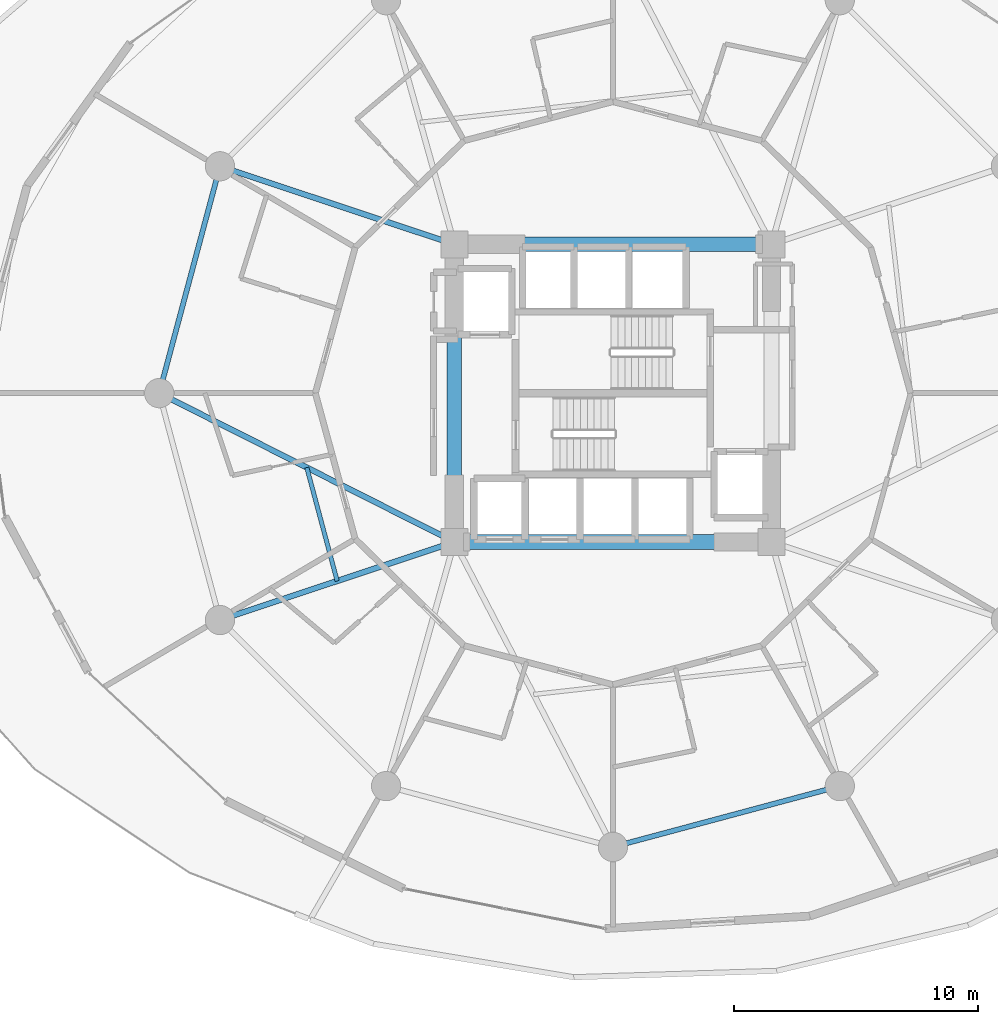
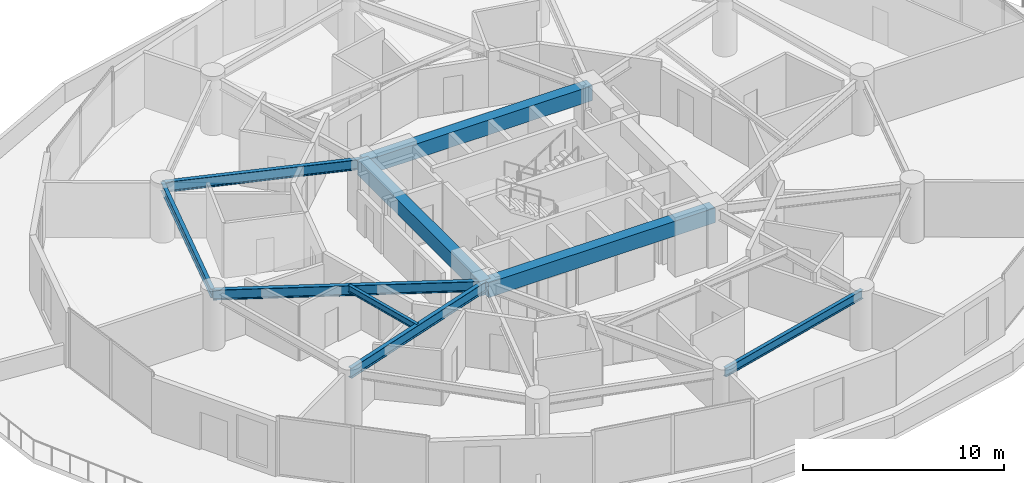
# One storey, part 6 of 25: 9 beams.
"""IFC4 building model written with IfcOpenShell, lengths in metres."""

from ifc_helpers import new_model, si_unit, direction, frame, origin, origin_2d, place, context, subcontext, project, spatial, rectangle, i_section, extrude, material, material_profile, profile_set, type_object, element, save


model = new_model("IFC4")

# Units and contexts
model_context = context("Model", 3, precision=1e-05, world=origin(), true_north=direction((0.0, 1.0)))
body_context = subcontext(model_context, "Body", "Model", "MODEL_VIEW")
ifc_project = project(units=[si_unit("LENGTHUNIT", "METRE"), si_unit("AREAUNIT", "SQUARE_METRE"), si_unit("VOLUMEUNIT", "CUBIC_METRE"), si_unit("PLANEANGLEUNIT", "RADIAN"), si_unit("MASSUNIT", "GRAM", prefix="KILO")], contexts=[model_context])

# Site, building, storey
site_placement = place(None, origin())
site = spatial("IfcSite", under=ifc_project, at=site_placement, CompositionType="ELEMENT")
building_placement = place(site_placement, origin())
building = spatial("IfcBuilding", under=site, at=building_placement, Name="Solvirekh Grand Hotel", CompositionType="ELEMENT")
storey_placement = place(building_placement, frame((0.0, 0.0, 28.39990234375)))
storey = spatial("IfcBuildingStorey", under=building, at=storey_placement, Name="L05", CompositionType="ELEMENT", Elevation=28.39990234375)

# Beams
ifc_material_1 = material(Name="Concrete C50/60", Category="concrete")
ifc_material_profile_1 = material_profile(ifc_material_1, rectangle(XDim=0.60009765625, YDim=0.89990234375, at=origin_2d()), Name="RC BEAM 600X900")
ifc_profile_set_1 = profile_set([ifc_material_profile_1], Name="Concrete C50/60")
beam_type_1 = type_object("IfcBeamType", Name="Beam_Core_RC900", PredefinedType="BEAM", material=ifc_profile_set_1)
for number, where, z_axis, x_axis, name in (
    (1, (-6.5, -6.10009765625, 2.89013671875), (1.0, 0.0, 0.0), (0.0, 1.0, 0.0), "L05 core coupling ring beam 1"),
    (2, (6.5, 6.10009765625, 2.89013671875), (-1.0, 0.0, 0.0), (0.0, -1.0, 0.0), "L05 core coupling ring beam 3"),
):
    element("IfcBeam", number, at=place(storey_placement, frame(where, z_axis=z_axis, x_axis=x_axis)), inside=storey, type_object=beam_type_1, Name=name, PredefinedType="BEAM", context=body_context, shape_type="SweptSolid", body=[
        extrude(rectangle(XDim=0.60009765625, YDim=0.89990234375, at=origin_2d()), origin(), (0.0, 0.0, 1.0), 13.0),
    ])
beam_1_placement = place(storey_placement, frame((-6.5, 6.10009765625, 2.89013671875), z_axis=(0.0, -1.0, 0.0), x_axis=(1.0, 0.0, 0.0)))
element("IfcBeam", 3, at=beam_1_placement, inside=storey, type_object=beam_type_1, Name="L05 core coupling ring beam 4", PredefinedType="BEAM", context=body_context, shape_type="SweptSolid", body=[
    extrude(rectangle(XDim=0.60009765625, YDim=0.89990234375, at=origin_2d()), origin(), (0.0, 0.0, 1.0), 12.2001953125),
])
ifc_material_2 = material(Name="Steel S355", Category="steel")
ifc_material_profile_2 = material_profile(ifc_material_2, i_section(OverallWidth=0.22802734375, OverallDepth=0.616943359375, WebThickness=0.012939453125, FlangeThickness=0.02001953125, FilletRadius=0.014892578125, at=origin_2d()), Name="W610X140")
ifc_profile_set_2 = profile_set([ifc_material_profile_2], Name="Steel S355")
beam_type_2 = type_object("IfcBeamType", Name="Beam_Radial_W610", PredefinedType="BEAM", material=ifc_profile_set_2)
beam_2_placement = place(storey_placement, frame((-6.5, 6.10009765625, 3.031005859375), z_axis=(-0.948762825819, 0.315989082635, 0.0), x_axis=(-0.315989082635, -0.948762825819, 0.0)))
element("IfcBeam", 4, at=beam_2_placement, inside=storey, type_object=beam_type_2, Name="L05 radial floor beam R06", PredefinedType="BEAM", context=body_context, shape_type="SweptSolid", body=[
    extrude(i_section(OverallWidth=0.22802734375, OverallDepth=0.616943359375, WebThickness=0.012939453125, FlangeThickness=0.02001953125, FilletRadius=0.014892578125, at=origin_2d()), origin(), (0.0, 0.0, 1.0), 10.126708984375),
])
beam_3_placement = place(storey_placement, frame((-6.5, -6.10009765625, 3.031005859375), z_axis=(-0.892944939011, 0.450165898191, 0.0), x_axis=(-0.450165898191, -0.892944939011, 0.0)))
element("IfcBeam", 5, at=beam_3_placement, inside=storey, type_object=beam_type_2, Name="L05 radial floor beam R07", PredefinedType="BEAM", context=body_context, shape_type="SweptSolid", body=[
    extrude(i_section(OverallWidth=0.22802734375, OverallDepth=0.616943359375, WebThickness=0.012939453125, FlangeThickness=0.02001953125, FilletRadius=0.014892578125, at=origin_2d()), origin(), (0.0, 0.0, 1.0), 13.55078125),
])
beam_4_placement = place(storey_placement, frame((-6.5, -6.10009765625, 3.031005859375), z_axis=(-0.948762825819, -0.315989082635, 0.0), x_axis=(0.315989082635, -0.948762825819, 0.0)))
element("IfcBeam", 6, at=beam_4_placement, inside=storey, type_object=beam_type_2, Name="L05 radial floor beam R08", PredefinedType="BEAM", context=body_context, shape_type="SweptSolid", body=[
    extrude(i_section(OverallWidth=0.22802734375, OverallDepth=0.616943359375, WebThickness=0.012939453125, FlangeThickness=0.02001953125, FilletRadius=0.014892578125, at=origin_2d()), origin(), (0.0, 0.0, 1.0), 10.126708984375),
])
ifc_material_profile_3 = material_profile(ifc_material_2, i_section(OverallWidth=0.177978515625, OverallDepth=0.406982421875, WebThickness=0.008056640625, FlangeThickness=0.011962890625, FilletRadius=0.011962890625, at=origin_2d()), Name="W410X60")
ifc_profile_set_3 = profile_set([ifc_material_profile_3], Name="Steel S355")
beam_type_3 = type_object("IfcBeamType", Name="Joist_Floor_W410", PredefinedType="JOIST", material=ifc_profile_set_3)
beam_5_placement = place(storey_placement, frame((-12.550048828125, -3.050048828125, 3.13720703125), z_axis=(0.258849313227, -0.965917715461, 0.0), x_axis=(0.965917715461, 0.258849313227, 0.0)))
element("IfcBeam", 7, at=beam_5_placement, inside=storey, type_object=beam_type_3, Name="L05 secondary composite floor joist 7", PredefinedType="JOIST", context=body_context, shape_type="SweptSolid", body=[
    extrude(i_section(OverallWidth=0.177978515625, OverallDepth=0.406982421875, WebThickness=0.008056640625, FlangeThickness=0.011962890625, FilletRadius=0.011962890625, at=origin_2d()), origin(), (0.0, 0.0, 1.0), 4.81396484375),
])
ifc_material_profile_4 = material_profile(ifc_material_2, i_section(OverallWidth=0.208984375, OverallDepth=0.532958984375, WebThickness=0.010009765625, FlangeThickness=0.014892578125, FilletRadius=0.013916015625, at=origin_2d()), Name="W530X92")
ifc_profile_set_4 = profile_set([ifc_material_profile_4], Name="Steel S355")
beam_type_4 = type_object("IfcBeamType", Name="Spandrel_Ring_W530", PredefinedType="SPANDREL", material=ifc_profile_set_4)
for number, where, z_axis, x_axis, name in (
    (8, (-16.10791015625, 9.300048828125, 3.072998046875), (-0.258842973314, -0.965919414426, 0.0), (0.965919414426, -0.258842973314, 0.0), "L05 perimeter spandrel beam 6"),
    (9, (0.0, -18.60009765625, 3.072998046875), (0.965919414426, 0.258842973314, 0.0), (-0.258842973314, 0.965919414426, 0.0), "L05 perimeter spandrel beam 10"),
):
    element("IfcBeam", number, at=place(storey_placement, frame(where, z_axis=z_axis, x_axis=x_axis)), inside=storey, type_object=beam_type_4, Name=name, PredefinedType="SPANDREL", context=body_context, shape_type="SweptSolid", body=[
        extrude(i_section(OverallWidth=0.208984375, OverallDepth=0.532958984375, WebThickness=0.010009765625, FlangeThickness=0.014892578125, FilletRadius=0.013916015625, at=origin_2d()), origin(), (0.0, 0.0, 1.0), 9.628173828125),
    ])

save(model, "model.ifc")
